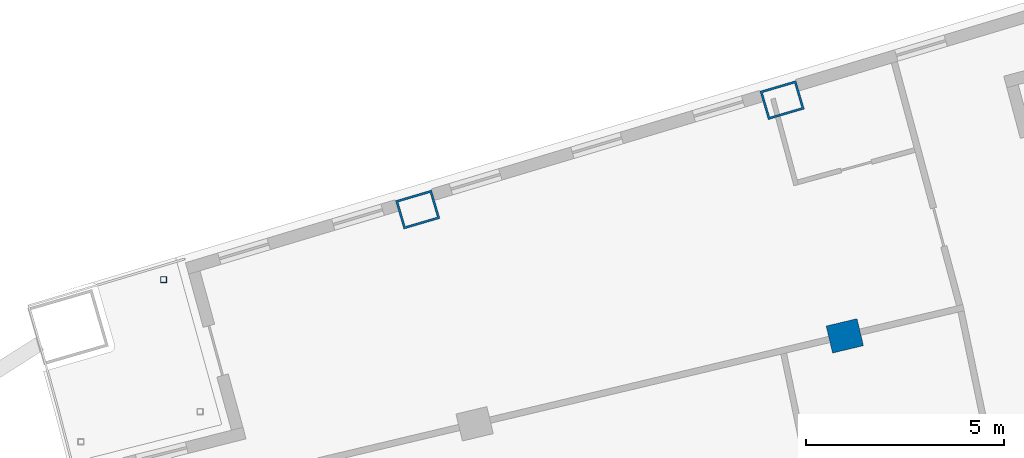
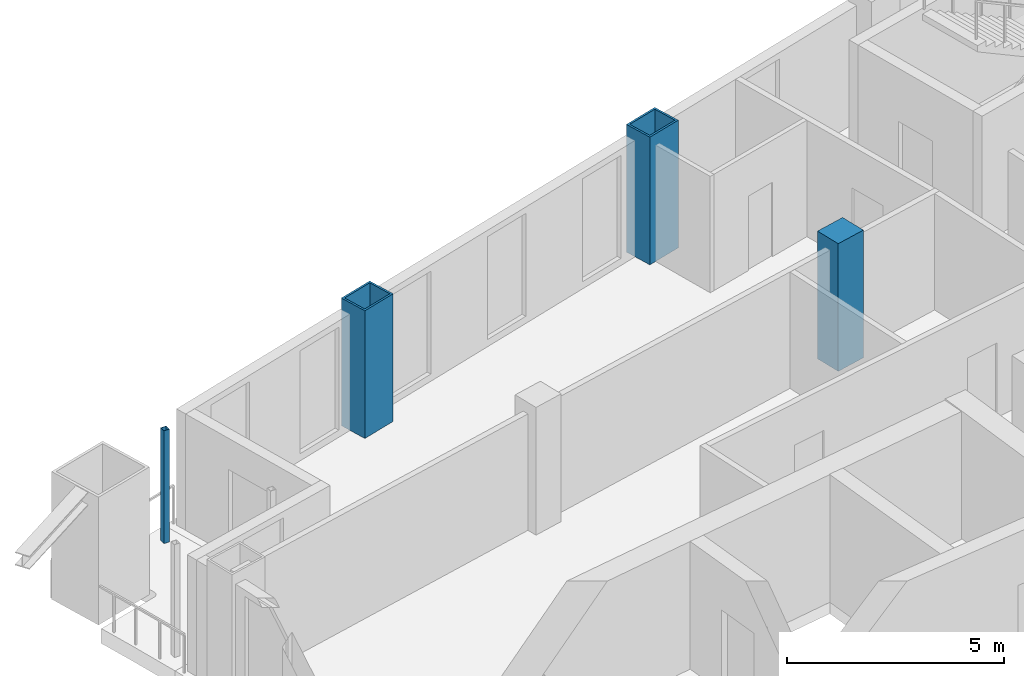
# One storey, part 7 of 19: 4 columns.
"""IFC4 building model written with IfcOpenShell, lengths in metres."""

import ifcopenshell
import ifcopenshell.guid

model = None  # the IFC model being written
_history = None  # IfcOwnerHistory: only IFC2X3 demands one
_inside = {}  # id of a spatial element -> (the spatial element, [elements in it])
_under = {}  # id of a project, library or spatial element -> (it, [spatial elements below it])
_declared = {}  # id of a project -> (the project, [libraries it declares])
_typed = {}  # id of a type object -> (the type object, [elements of that type])
_made_of = {}  # id of a material, layer set ... -> (it, [elements and type objects made of it])


def new_model(schema):
    """Start an empty IFC model of exactly this schema.

    Asked for "IFC4X3", IfcOpenShell would pick the latest addendum, in which some entities
    have other attributes; the version numbers below select the first issue.
    IFC2X3 requires an IfcOwnerHistory on every rooted entity: one is made here for all.
    """
    global model, _history
    if schema == "IFC4X3":
        model = ifcopenshell.file(schema_version=(4, 3, 0, 0))
    else:
        model = ifcopenshell.file(schema=schema)
    _inside.clear()
    _under.clear()
    _declared.clear()
    _typed.clear()
    _made_of.clear()
    _history = None
    if model.schema == "IFC2X3":
        org = make("IfcOrganization", Name="unknown")
        user = make(
            "IfcPersonAndOrganization",
            ThePerson=make("IfcPerson", FamilyName="unknown"),
            TheOrganization=org,
        )
        app = make(
            "IfcApplication",
            ApplicationDeveloper=org,
            Version="unknown",
            ApplicationFullName="unknown",
            ApplicationIdentifier="unknown",
        )
        _history = make(
            "IfcOwnerHistory",
            OwningUser=user,
            OwningApplication=app,
            ChangeAction="ADDED",
            CreationDate=0,
        )
    return model


def make(cls, **values):
    """One entity of the class cls with the attributes given. An attribute that is None is left unset."""
    return model.create_entity(
        cls, **{name: value for name, value in values.items() if value is not None}
    )


def rooted(cls, **values):
    """An entity with a GlobalId (a new one), such as an element, a storey or a relation."""
    return make(cls, GlobalId=ifcopenshell.guid.new(), OwnerHistory=_history, **values)


def si_unit(unit_type, name, prefix=None):
    """IfcSIUnit, for example si_unit("LENGTHUNIT", "METRE", prefix="MILLI")."""
    return make("IfcSIUnit", UnitType=unit_type, Prefix=prefix, Name=name)


def assignment(units):
    """IfcUnitAssignment: the units of a project."""
    return None if units is None else make("IfcUnitAssignment", Units=units)


def point(xyz):
    """IfcCartesianPoint."""
    return None if xyz is None else make("IfcCartesianPoint", Coordinates=xyz)


def direction(xyz):
    """IfcDirection."""
    return None if xyz is None else make("IfcDirection", DirectionRatios=xyz)


def frame(location, z_axis=None, x_axis=None):
    """IfcAxis2Placement3D, a coordinate frame: its origin and axes. An axis left out is left unset."""
    return make(
        "IfcAxis2Placement3D",
        Location=point(location),
        Axis=direction(z_axis),
        RefDirection=direction(x_axis),
    )


def frame_2d(location, x_axis=None):
    """IfcAxis2Placement2D, a coordinate frame in the plane: its origin and x axis."""
    return make(
        "IfcAxis2Placement2D", Location=point(location), RefDirection=direction(x_axis)
    )


def origin():
    """The frame at (0, 0, 0) with its axes left unset."""
    return frame((0.0, 0.0, 0.0))


def origin_2d():
    """The frame at (0, 0) in the plane with its x axis left unset."""
    return frame_2d((0.0, 0.0))


def place(relative_to, where):
    """IfcLocalPlacement: puts the frame where relative to a parent placement (None: the world)."""
    return make(
        "IfcLocalPlacement", PlacementRelTo=relative_to, RelativePlacement=where
    )


def context(
    kind, dimensions, precision=None, world=None, true_north=None, identifier=None
):
    """IfcGeometricRepresentationContext, for example the 3D "Model" context."""
    return make(
        "IfcGeometricRepresentationContext",
        ContextIdentifier=identifier,
        ContextType=kind,
        CoordinateSpaceDimension=dimensions,
        Precision=precision,
        WorldCoordinateSystem=world,
        TrueNorth=true_north,
    )


def subcontext(parent, identifier, kind, view, scale=None):
    """IfcGeometricRepresentationSubContext, for example "Body" below "Model"."""
    return make(
        "IfcGeometricRepresentationSubContext",
        ContextIdentifier=identifier,
        ContextType=kind,
        ParentContext=parent,
        TargetScale=scale,
        TargetView=view,
    )


def project(units=None, contexts=None):
    """IfcProject with its units and contexts."""
    return rooted(
        "IfcProject",
        Name="project",
        RepresentationContexts=contexts,
        UnitsInContext=assignment(units),
    )


def spatial(cls, under=None, at=None, **own):
    """A site, building, storey or space (cls), placed at a placement, below another one or the project."""
    s = rooted(cls, ObjectPlacement=at, **own)
    if under is not None:
        _under.setdefault(under.id(), (under, []))[1].append(s)
    return s


def profile(cls, at=None, kind="AREA", **sizes):
    """A parametric profile (cls). Its sizes go by their IFC names, for example OverallWidth=200.0."""
    return make(cls, ProfileType=kind, Position=at, **sizes)


def rectangle(**sizes):
    """IfcRectangleProfileDef."""
    return profile("IfcRectangleProfileDef", **sizes)


def hollow_rectangle(**sizes):
    """IfcRectangleHollowProfileDef."""
    return profile("IfcRectangleHollowProfileDef", **sizes)


def extrude(swept, where, along, depth):
    """IfcExtrudedAreaSolid: the profile swept, set in the frame where, extruded along a direction by depth."""
    return make(
        "IfcExtrudedAreaSolid",
        SweptArea=swept,
        Position=where,
        ExtrudedDirection=direction(along),
        Depth=depth,
    )


def shape(context_of_items, identifier, shape_type, items):
    """IfcShapeRepresentation: the items that make up one representation, for example the "Body"."""
    return make(
        "IfcShapeRepresentation",
        ContextOfItems=context_of_items,
        RepresentationIdentifier=identifier,
        RepresentationType=shape_type,
        Items=items,
    )


def material(Name=None, Category=None):
    """IfcMaterial."""
    return make("IfcMaterial", Name=Name, Category=Category)


def material_profile(
    of_material, cross_section, Name=None, Category=None, Priority=None
):
    """IfcMaterialProfile: a cross section and its material."""
    return make(
        "IfcMaterialProfile",
        Name=Name,
        Material=of_material,
        Profile=cross_section,
        Priority=Priority,
        Category=Category,
    )


def profile_set(profiles, Name=None, composite=None):
    """IfcMaterialProfileSet."""
    return make(
        "IfcMaterialProfileSet",
        Name=Name,
        MaterialProfiles=profiles,
        CompositeProfile=composite,
    )


def made_of(thing, what):
    """Note that an element or type object is made of a material, layer set ...; save() writes the relation."""
    if what is not None:
        _made_of.setdefault(what.id(), (what, []))[1].append(thing)
    return thing


def type_object(cls, material=None, **own):
    """A type object (cls), such as IfcWallType, which elements share."""
    return made_of(rooted(cls, **own), material)


def element(
    cls,
    number,
    at=None,
    inside=None,
    cuts=None,
    type_object=None,
    material=None,
    context=None,
    identifier="Body",
    shape_type=None,
    held_by="IfcProductDefinitionShape",
    body=None,
    shapes=None,
    **own,
):
    """One element of the class cls, such as IfcWall. Its Tag is "e" and its number.

    at: its placement. inside: the storey or other place that contains it. cuts: it is an
    opening in that element (IfcRelVoidsElement). A single representation is given by context,
    identifier, shape_type and body (its items); several are given by shapes. held_by: the class
    of the entity that holds the representations. save() writes the other relations.
    """
    e = rooted(cls, Tag="e%d" % number, ObjectPlacement=at, **own)
    if body is not None:
        shapes = [shape(context, identifier, shape_type, body)]
    if shapes is not None:
        e.Representation = make(held_by, Representations=shapes)
    if inside is not None:
        _inside.setdefault(inside.id(), (inside, []))[1].append(e)
    if cuts is not None:
        rooted(
            "IfcRelVoidsElement", RelatingBuildingElement=cuts, RelatedOpeningElement=e
        )
    if type_object is not None:
        _typed.setdefault(type_object.id(), (type_object, []))[1].append(e)
    return made_of(e, material)


def aggregate(whole, parts):
    """IfcRelAggregates: a whole, such as a stair, and the parts it consists of."""
    return rooted("IfcRelAggregates", RelatingObject=whole, RelatedObjects=parts)


def save(model, path):
    """Write the relations noted so far, then the file.

    IfcRelAggregates (storeys below a building ...), IfcRelContainedInSpatialStructure (elements
    in a storey), IfcRelDefinesByType, IfcRelAssociatesMaterial and IfcRelDeclares: one each for
    every whole, place, type object, material and project.
    """
    for whole, parts in _under.values():
        aggregate(whole, parts)
    for where, things in _inside.values():
        rooted(
            "IfcRelContainedInSpatialStructure",
            RelatedElements=things,
            RelatingStructure=where,
        )
    for kind, things in _typed.values():
        rooted("IfcRelDefinesByType", RelatedObjects=things, RelatingType=kind)
    for what, things in _made_of.values():
        rooted("IfcRelAssociatesMaterial", RelatedObjects=things, RelatingMaterial=what)
    for by, libraries in _declared.values():
        rooted("IfcRelDeclares", RelatingContext=by, RelatedDefinitions=libraries)
    model.write(path)


model = new_model("IFC4")

# Units and contexts
model_context = context("Model", 3, precision=1e-05, world=origin(), true_north=direction((0.0, 1.0)))
body_context = subcontext(model_context, "Body", "Model", "MODEL_VIEW")
ifc_project = project(units=[si_unit("LENGTHUNIT", "METRE"), si_unit("AREAUNIT", "SQUARE_METRE"), si_unit("VOLUMEUNIT", "CUBIC_METRE"), si_unit("PLANEANGLEUNIT", "RADIAN"), si_unit("MASSUNIT", "GRAM", prefix="KILO")], contexts=[model_context])

# Site, building, storey
site_placement = place(None, origin())
site = spatial("IfcSite", under=ifc_project, at=site_placement, CompositionType="ELEMENT")
building_placement = place(site_placement, origin())
building = spatial("IfcBuilding", under=site, at=building_placement, Name="Alderwake Tower", CompositionType="ELEMENT")
storey_placement = place(building_placement, frame((0.0, 0.0, 203.60009765625)))
storey = spatial("IfcBuildingStorey", under=building, at=storey_placement, Name="L50", CompositionType="ELEMENT", Elevation=203.60009765625)

# Columns
ifc_material_1 = material(Name="Steel ASTM A572 Grade 50 concrete filled C70/85", Category="concrete")
ifc_material_profile_1 = material_profile(ifc_material_1, hollow_rectangle(XDim=0.75, YDim=0.949951171875, WallThickness=0.054931640625, at=origin_2d()), Name="BOX 950X750X55")
ifc_profile_set_1 = profile_set([ifc_material_profile_1], Name="Steel ASTM A572 Grade 50 concrete filled C70/85")
column_type_1 = type_object("IfcColumnType", Name="End column Z4", PredefinedType="COLUMN", material=ifc_profile_set_1)
for number, where, z_axis, x_axis, name in (
    (1, (21.885498046875, 90.96240234375, 0.0), (0.0, 0.0, 1.0), (-0.282132160283, 0.95937554906, 0.0), "Column R12-C1"),
    (2, (31.080322265625, 93.72314453125, 0.0), (0.0, 0.0, 1.0), (-0.282582549822, 0.959242984095, 0.0), "Column R12-C2"),
):
    element("IfcColumn", number, at=place(storey_placement, frame(where, z_axis=z_axis, x_axis=x_axis)), inside=storey, type_object=column_type_1, Name=name, PredefinedType="COLUMN", context=body_context, shape_type="SweptSolid", body=[
        extrude(hollow_rectangle(XDim=0.75, YDim=0.949951171875, WallThickness=0.054931640625, at=origin_2d()), origin(), (0.0, 0.0, 1.0), 3.599853515625),
    ])
ifc_material_2 = material(Name="Concrete C70/85", Category="concrete")
ifc_material_profile_2 = material_profile(ifc_material_2, rectangle(XDim=0.699951171875, YDim=0.800048828125, at=origin_2d()), Name="RC 800X700")
ifc_profile_set_2 = profile_set([ifc_material_profile_2], Name="Concrete C70/85")
column_type_2 = type_object("IfcColumnType", Name="Interior column Z4", PredefinedType="COLUMN", material=ifc_profile_set_2)
column_1_placement = place(storey_placement, frame((32.661865234375, 87.775390625, 0.0), z_axis=(0.0, 0.0, 1.0), x_axis=(-0.231221547198, 0.972901123502, 0.0)))
element("IfcColumn", 3, at=column_1_placement, inside=storey, type_object=column_type_2, Name="Column R11-C2", PredefinedType="COLUMN", context=body_context, shape_type="SweptSolid", body=[
    extrude(rectangle(XDim=0.699951171875, YDim=0.800048828125, at=origin_2d()), origin(), (0.0, 0.0, 1.0), 3.599853515625),
])
ifc_material_3 = material(Name="Steel ASTM A500 Grade C", Category="steel")
ifc_material_profile_3 = material_profile(ifc_material_3, hollow_rectangle(XDim=0.15234375, YDim=0.15234375, WallThickness=0.0087890625, at=origin_2d()), Name="HSS6X6X3/8")
ifc_profile_set_3 = profile_set([ifc_material_profile_3], Name="Steel ASTM A500 Grade C")
column_type_3 = type_object("IfcColumnType", Name="Light post HSS6X6X3/8", PredefinedType="COLUMN", material=ifc_profile_set_3)
column_2_placement = place(storey_placement, frame((15.47412109375, 89.194091796875, 0.0), z_axis=(0.0, 0.0, 1.0), x_axis=(1.0, 0.0, 0.0)))
element("IfcColumn", 4, at=column_2_placement, inside=storey, type_object=column_type_3, Name="Terrace post RN2", PredefinedType="COLUMN", context=body_context, shape_type="SweptSolid", body=[
    extrude(hollow_rectangle(XDim=0.15234375, YDim=0.15234375, WallThickness=0.0087890625, at=origin_2d()), origin(), (0.0, 0.0, 1.0), 3.179931640625),
])

save(model, "model.ifc")
